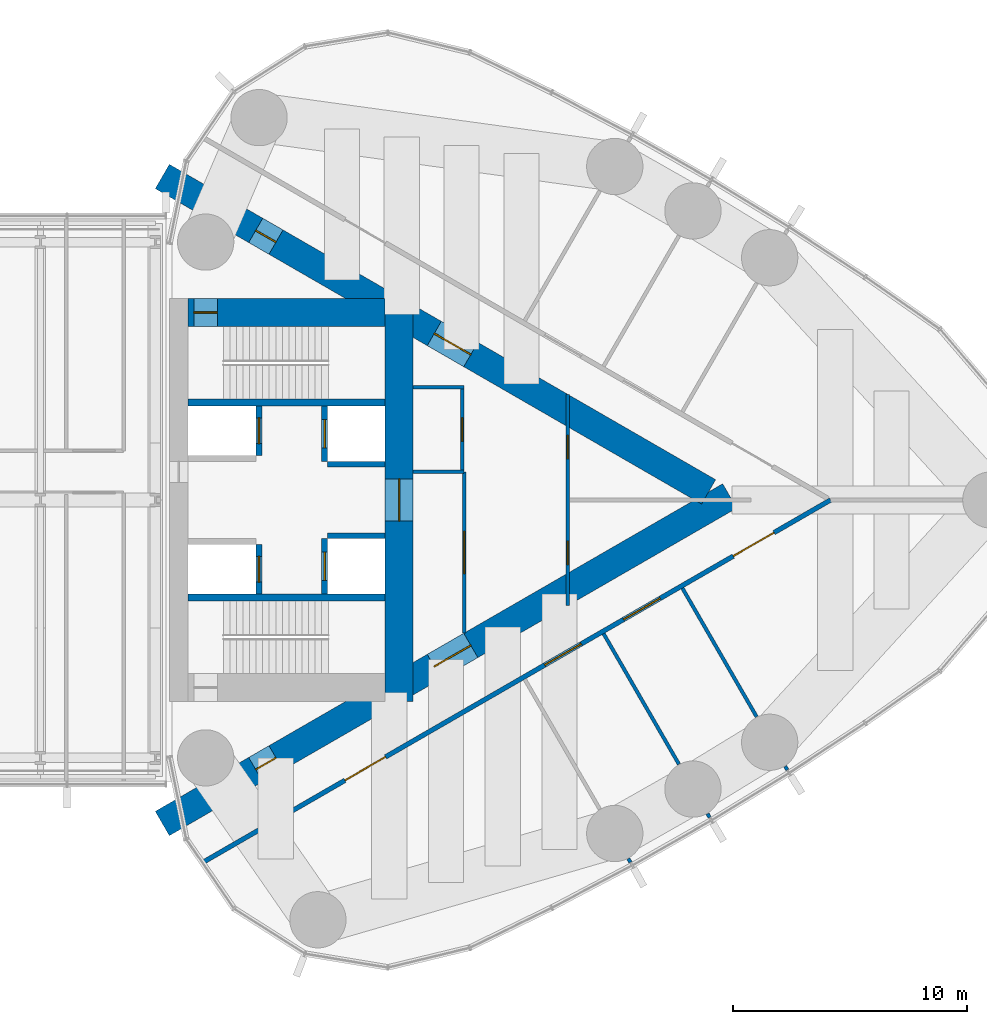
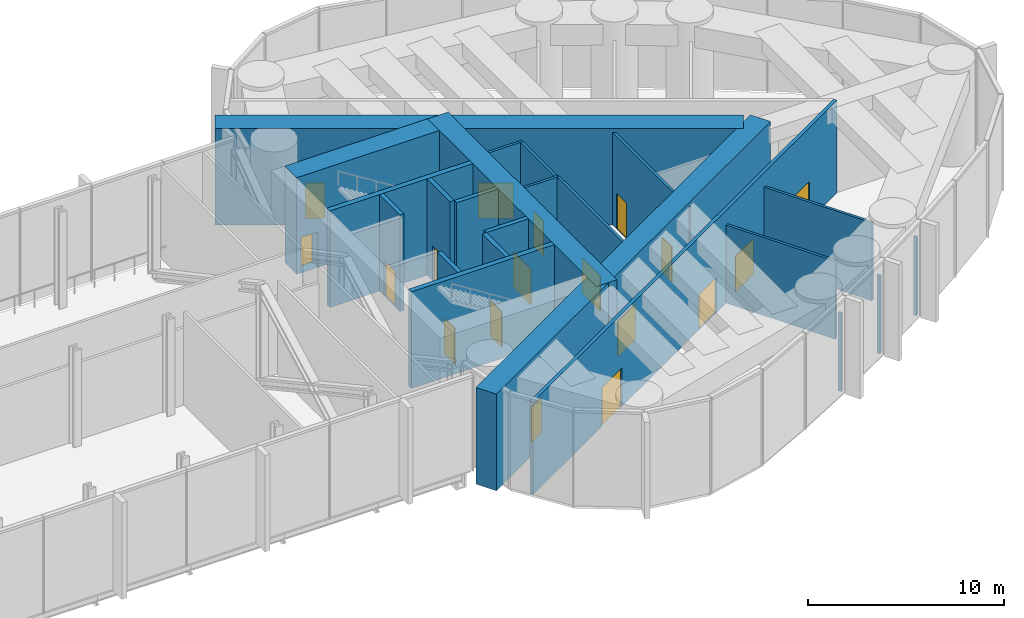
# One storey, part 18 of 21: 23 walls, 18 doors, 18 openings.
"""IFC4 building model written with IfcOpenShell, lengths in metres."""

from ifc_helpers import new_model, si_unit, direction, frame, frame_2d, origin, place, context, subcontext, project, spatial, rectangle, extrude, material, layer, layer_set, type_object, element, fill, save


model = new_model("IFC4")

# Units and contexts
model_context = context("Model", 3, precision=1e-05, world=origin(), true_north=direction((0.0, 1.0)))
body_context = subcontext(model_context, "Body", "Model", "MODEL_VIEW")
ifc_project = project(units=[si_unit("LENGTHUNIT", "METRE"), si_unit("AREAUNIT", "SQUARE_METRE"), si_unit("VOLUMEUNIT", "CUBIC_METRE"), si_unit("PLANEANGLEUNIT", "RADIAN"), si_unit("MASSUNIT", "GRAM", prefix="KILO")], contexts=[model_context])

# Site, building, storey
site_placement = place(None, origin())
site = spatial("IfcSite", under=ifc_project, at=site_placement, CompositionType="ELEMENT")
building_placement = place(site_placement, origin())
building = spatial("IfcBuilding", under=site, at=building_placement, Name="Lancet Gate Hotel", CompositionType="ELEMENT")
storey_placement = place(building_placement, frame((0.0, 0.0, 257.300048828125)))
storey = spatial("IfcBuildingStorey", under=building, at=storey_placement, Name="L68", CompositionType="ELEMENT", Elevation=257.300048828125)

# Wall, openings, doors
ifc_material_1 = material(Name="Concrete C70/85", Category="concrete")
ifc_layer_1 = layer(ifc_material_1, 1.199951171875)
ifc_layer_set_1 = layer_set([ifc_layer_1], Name="Buttress wall 1200")
wall_type_1 = type_object("IfcWallType", Name="Buttress wall 1200", PredefinedType="SHEAR", material=ifc_layer_set_1)
wall_1_placement = place(storey_placement, frame((27.199951171875, -13.800048828125, 0.0), z_axis=(0.0, 0.0, 1.0), x_axis=(0.866027159892, 0.499996958321, 0.0)))
wall_1 = element("IfcWall", 1, at=wall_1_placement, inside=storey, type_object=wall_type_1, Name="T2 buttress wall S L68", PredefinedType="SHEAR", context=body_context, shape_type="SweptSolid", body=[
    extrude(rectangle(XDim=27.946533203125, YDim=1.199951171875, at=frame_2d((13.97314453125, 0.0))), origin(), (0.0, 0.0, 1.0), 6.0),
])
opening_1_placement = place(wall_1_placement, frame((4.60009765625, 0.0, 0.0)))
opening_1 = element("IfcOpeningElement", 2, at=opening_1_placement, cuts=wall_1, Name="Opening T2-L68-LS", PredefinedType="OPENING", context=body_context, shape_type="SweptSolid", body=[
    extrude(rectangle(XDim=1.0, YDim=2.199951171875, at=frame_2d((0.5, 1.10009765625))), frame((0.0, 0.60986328125, 0.0), z_axis=(0.0, -1.0, 0.0), x_axis=(1.0, 0.0, 0.0)), (0.0, 0.0, 1.0), 1.219970703125),
])
opening_2_placement = place(wall_1_placement, frame((13.39453125, 0.0, 0.0)))
opening_2 = element("IfcOpeningElement", 3, at=opening_2_placement, cuts=wall_1, Name="Opening T2-L68-LHS", PredefinedType="OPENING", context=body_context, shape_type="SweptSolid", body=[
    extrude(rectangle(XDim=1.800048828125, YDim=2.199951171875, at=frame_2d((0.89990234375, 1.10009765625))), frame((0.0, 0.60986328125, 0.0), z_axis=(0.0, -1.0, 0.0), x_axis=(1.0, 0.0, 0.0)), (0.0, 0.0, 1.0), 1.219970703125),
])
ifc_material_2 = material(Name="Timber door set", Category="wood")
door_type_1 = type_object("IfcDoorType", Name="Lobby double door 1800", OperationType="DOUBLE_DOOR_SINGLE_SWING", PredefinedType="DOOR", material=ifc_material_2)
door_1_placement = place(opening_2_placement, origin())
door_1 = element("IfcDoor", 4, at=door_1_placement, inside=storey, type_object=door_type_1, Name="T2-L68-LHS", OperationType="DOUBLE_DOOR_SINGLE_SWING", OverallHeight=2.199951171875, OverallWidth=1.800048828125, PredefinedType="DOOR", context=body_context, shape_type="SweptSolid", body=[
    extrude(rectangle(XDim=1.800048828125, YDim=2.199951171875, at=frame_2d((0.89990234375, 1.10009765625))), frame((0.0, 0.02490234375, 0.0), z_axis=(0.0, -1.0, 0.0), x_axis=(1.0, 0.0, 0.0)), (0.0, 0.0, 1.0), 0.050048828125),
])
fill(opening_2, door_1)
ifc_material_3 = material(Name="Timber door set", Category="wood")
door_type_2 = type_object("IfcDoorType", Name="Stair lobby door 1000", OperationType="SINGLE_SWING_LEFT", PredefinedType="DOOR", material=ifc_material_3)
door_2_placement = place(opening_1_placement, origin())
door_2 = element("IfcDoor", 5, at=door_2_placement, inside=storey, type_object=door_type_2, Name="T2-L68-LS", OperationType="SINGLE_SWING_LEFT", OverallHeight=2.199951171875, OverallWidth=1.0, PredefinedType="DOOR", context=body_context, shape_type="SweptSolid", body=[
    extrude(rectangle(XDim=1.0, YDim=2.199951171875, at=frame_2d((0.5, 1.10009765625))), frame((0.0, 0.02490234375, 0.0), z_axis=(0.0, -1.0, 0.0), x_axis=(1.0, 0.0, 0.0)), (0.0, 0.0, 1.0), 0.050048828125),
])
fill(opening_1, door_2)

wall_2_placement = place(storey_placement, frame((27.199951171875, 13.800048828125, 0.0), z_axis=(0.0, 0.0, 1.0), x_axis=(0.866024515034, -0.500001539357, 0.0)))
wall_2 = element("IfcWall", 6, at=wall_2_placement, inside=storey, type_object=wall_type_1, Name="T2 buttress wall N L68", PredefinedType="SHEAR", context=body_context, shape_type="SweptSolid", body=[
    extrude(rectangle(XDim=26.9072265625, YDim=1.199951171875, at=frame_2d((13.45361328125, 0.0))), origin(), (0.0, 0.0, 1.0), 6.0),
])
opening_3_placement = place(wall_2_placement, frame((4.60009765625, 0.0, 0.0)))
opening_3 = element("IfcOpeningElement", 7, at=opening_3_placement, cuts=wall_2, Name="Opening T2-L68-LN", PredefinedType="OPENING", context=body_context, shape_type="SweptSolid", body=[
    extrude(rectangle(XDim=1.0, YDim=2.199951171875, at=frame_2d((0.5, 1.10009765625))), frame((0.0, 0.60986328125, 0.0), z_axis=(0.0, -1.0, 0.0), x_axis=(1.0, 0.0, 0.0)), (0.0, 0.0, 1.0), 1.219970703125),
])
opening_4_placement = place(wall_2_placement, frame((13.39453125, 0.0, 0.0)))
opening_4 = element("IfcOpeningElement", 8, at=opening_4_placement, cuts=wall_2, Name="Opening T2-L68-LHN", PredefinedType="OPENING", context=body_context, shape_type="SweptSolid", body=[
    extrude(rectangle(XDim=1.800048828125, YDim=2.199951171875, at=frame_2d((0.89990234375, 1.10009765625))), frame((0.0, 0.60986328125, 0.0), z_axis=(0.0, -1.0, 0.0), x_axis=(1.0, 0.0, 0.0)), (0.0, 0.0, 1.0), 1.219970703125),
])
door_3_placement = place(opening_4_placement, origin())
door_3 = element("IfcDoor", 9, at=door_3_placement, inside=storey, type_object=door_type_1, Name="T2-L68-LHN", OperationType="DOUBLE_DOOR_SINGLE_SWING", OverallHeight=2.199951171875, OverallWidth=1.800048828125, PredefinedType="DOOR", context=body_context, shape_type="SweptSolid", body=[
    extrude(rectangle(XDim=1.800048828125, YDim=2.199951171875, at=frame_2d((0.89990234375, 1.10009765625))), frame((0.0, 0.02490234375, 0.0), z_axis=(0.0, -1.0, 0.0), x_axis=(1.0, 0.0, 0.0)), (0.0, 0.0, 1.0), 0.050048828125),
])
fill(opening_4, door_3)
door_4_placement = place(opening_3_placement, origin())
door_4 = element("IfcDoor", 10, at=door_4_placement, inside=storey, type_object=door_type_2, Name="T2-L68-LN", OperationType="SINGLE_SWING_LEFT", OverallHeight=2.199951171875, OverallWidth=1.0, PredefinedType="DOOR", context=body_context, shape_type="SweptSolid", body=[
    extrude(rectangle(XDim=1.0, YDim=2.199951171875, at=frame_2d((0.5, 1.10009765625))), frame((0.0, 0.02490234375, 0.0), z_axis=(0.0, -1.0, 0.0), x_axis=(1.0, 0.0, 0.0)), (0.0, 0.0, 1.0), 0.050048828125),
])
fill(opening_3, door_4)

# Wall, opening, door
ifc_material_4 = material(Name="Concrete C70/85", Category="concrete")
ifc_layer_2 = layer(ifc_material_4, 1.199951171875)
ifc_layer_set_2 = layer_set([ifc_layer_2], Name="Core wall 1200")
wall_type_2 = type_object("IfcWallType", Name="Core wall 1200", PredefinedType="SHEAR", material=ifc_layer_set_2)
wall_3_placement = place(storey_placement, frame((37.300048828125, -8.60009765625, 0.0), z_axis=(0.0, 0.0, 1.0), x_axis=(0.0, 1.0, 0.0)))
wall_3 = element("IfcWall", 11, at=wall_3_placement, inside=storey, type_object=wall_type_2, Name="T2 core wall back L68", PredefinedType="SHEAR", context=body_context, shape_type="SweptSolid", body=[
    extrude(rectangle(XDim=17.2001953125, YDim=1.199951171875, at=frame_2d((8.60009765625, 0.0))), origin(), (0.0, 0.0, 1.0), 6.0),
])
opening_5_placement = place(wall_3_placement, frame((7.699951171875, 0.0, 0.0)))
opening_5 = element("IfcOpeningElement", 12, at=opening_5_placement, cuts=wall_3, Name="Opening T2-L68-LL", PredefinedType="OPENING", context=body_context, shape_type="SweptSolid", body=[
    extrude(rectangle(XDim=1.800048828125, YDim=2.199951171875, at=frame_2d((0.89990234375, 1.10009765625))), frame((0.0, 0.60986328125, 0.0), z_axis=(0.0, -1.0, 0.0), x_axis=(1.0, 0.0, 0.0)), (0.0, 0.0, 1.0), 1.219970703125),
])
door_5_placement = place(opening_5_placement, origin())
door_5 = element("IfcDoor", 13, at=door_5_placement, inside=storey, type_object=door_type_1, Name="T2-L68-LL", OperationType="DOUBLE_DOOR_SINGLE_SWING", OverallHeight=2.199951171875, OverallWidth=1.800048828125, PredefinedType="DOOR", context=body_context, shape_type="SweptSolid", body=[
    extrude(rectangle(XDim=1.800048828125, YDim=2.199951171875, at=frame_2d((0.89990234375, 1.10009765625))), frame((0.0, 0.02490234375, 0.0), z_axis=(0.0, -1.0, 0.0), x_axis=(1.0, 0.0, 0.0)), (0.0, 0.0, 1.0), 0.050048828125),
])
fill(opening_5, door_5)

wall_4_placement = place(storey_placement, frame((28.300048828125, 8.0, 0.0), z_axis=(0.0, 0.0, 1.0), x_axis=(1.0, 0.0, 0.0)))
wall_4 = element("IfcWall", 14, at=wall_4_placement, inside=storey, type_object=wall_type_2, Name="T2 core wall side-N L68", PredefinedType="SHEAR", context=body_context, shape_type="SweptSolid", body=[
    extrude(rectangle(XDim=8.39990234375, YDim=1.199951171875, at=frame_2d((4.199951171875, 0.0))), origin(), (0.0, 0.0, 1.0), 6.0),
])
opening_6_placement = place(wall_4_placement, frame((0.25, 0.0, 0.0)))
opening_6 = element("IfcOpeningElement", 15, at=opening_6_placement, cuts=wall_4, Name="Opening T2-L68-ST2", PredefinedType="OPENING", context=body_context, shape_type="SweptSolid", body=[
    extrude(rectangle(XDim=1.0, YDim=2.199951171875, at=frame_2d((0.5, 1.10009765625))), frame((0.0, 0.60986328125, 0.0), z_axis=(0.0, -1.0, 0.0), x_axis=(1.0, 0.0, 0.0)), (0.0, 0.0, 1.0), 1.219970703125),
])
ifc_material_5 = material(Name="Timber door set", Category="wood")
door_type_3 = type_object("IfcDoorType", Name="Stair door 1000", OperationType="SINGLE_SWING_RIGHT", PredefinedType="DOOR", material=ifc_material_5)
door_6_placement = place(opening_6_placement, origin())
door_6 = element("IfcDoor", 16, at=door_6_placement, inside=storey, type_object=door_type_3, Name="T2-L68-ST2", OperationType="SINGLE_SWING_RIGHT", OverallHeight=2.199951171875, OverallWidth=1.0, PredefinedType="DOOR", context=body_context, shape_type="SweptSolid", body=[
    extrude(rectangle(XDim=1.0, YDim=2.199951171875, at=frame_2d((0.5, 1.10009765625))), frame((0.0, 0.02490234375, 0.0), z_axis=(0.0, -1.0, 0.0), x_axis=(1.0, 0.0, 0.0)), (0.0, 0.0, 1.0), 0.050048828125),
])
fill(opening_6, door_6)

# Wall, openings, doors
ifc_material_6 = material(Name="Gypsum board partition")
ifc_layer_3 = layer(ifc_material_6, 0.199951171875)
ifc_layer_set_3 = layer_set([ifc_layer_3], Name="Corridor wall 200")
wall_type_3 = type_object("IfcWallType", Name="Corridor wall 200", PredefinedType="PARTITIONING", material=ifc_layer_set_3)
wall_5_placement = place(storey_placement, frame((28.90673828125, -15.470458984375, 0.0), z_axis=(0.0, 0.0, 1.0), x_axis=(0.866023700353, 0.500002950419, 0.0)))
wall_5 = element("IfcWall", 17, at=wall_5_placement, inside=storey, type_object=wall_type_3, Name="T2 corridor wall 200 L68", PredefinedType="PARTITIONING", context=body_context, shape_type="SweptSolid", body=[
    extrude(rectangle(XDim=30.940673828125, YDim=0.199951171875, at=frame_2d((15.47021484375, 0.0))), origin(), (0.0, 0.0, 1.0), 5.75),
])
opening_7_placement = place(wall_5_placement, frame((7.02392578125, 0.0, 0.0)))
opening_7 = element("IfcOpeningElement", 18, at=opening_7_placement, cuts=wall_5, Name="Opening T2-L68-DO01", PredefinedType="OPENING", context=body_context, shape_type="SweptSolid", body=[
    extrude(rectangle(XDim=2.0, YDim=2.39990234375, at=frame_2d((1.0, 1.199951171875))), frame((0.0, 0.10986328125, 0.0), z_axis=(0.0, -1.0, 0.0), x_axis=(1.0, 0.0, 0.0)), (0.0, 0.0, 1.0), 0.219970703125),
])
opening_8_placement = place(wall_5_placement, frame((16.864501953125, 0.0, 0.0)))
opening_8 = element("IfcOpeningElement", 19, at=opening_8_placement, cuts=wall_5, Name="Opening T2-L68-DO02", PredefinedType="OPENING", context=body_context, shape_type="SweptSolid", body=[
    extrude(rectangle(XDim=1.800048828125, YDim=2.199951171875, at=frame_2d((0.89990234375, 1.10009765625))), frame((0.0, 0.10986328125, 0.0), z_axis=(0.0, -1.0, 0.0), x_axis=(1.0, 0.0, 0.0)), (0.0, 0.0, 1.0), 0.219970703125),
])
opening_9_placement = place(wall_5_placement, frame((20.74755859375, 0.0, 0.0)))
opening_9 = element("IfcOpeningElement", 20, at=opening_9_placement, cuts=wall_5, Name="Opening T2-L68-DO03", PredefinedType="OPENING", context=body_context, shape_type="SweptSolid", body=[
    extrude(rectangle(XDim=1.800048828125, YDim=2.199951171875, at=frame_2d((0.89990234375, 1.10009765625))), frame((0.0, 0.10986328125, 0.0), z_axis=(0.0, -1.0, 0.0), x_axis=(1.0, 0.0, 0.0)), (0.0, 0.0, 1.0), 0.219970703125),
])
opening_10_placement = place(wall_5_placement, frame((26.15234375, 0.0, 0.0)))
opening_10 = element("IfcOpeningElement", 21, at=opening_10_placement, cuts=wall_5, Name="Opening T2-L68-DO04", PredefinedType="OPENING", context=body_context, shape_type="SweptSolid", body=[
    extrude(rectangle(XDim=2.0, YDim=2.39990234375, at=frame_2d((1.0, 1.199951171875))), frame((0.0, 0.10986328125, 0.0), z_axis=(0.0, -1.0, 0.0), x_axis=(1.0, 0.0, 0.0)), (0.0, 0.0, 1.0), 0.219970703125),
])
ifc_material_7 = material(Name="Timber door set", Category="wood")
door_type_4 = type_object("IfcDoorType", Name="Double door 1800", OperationType="DOUBLE_DOOR_SINGLE_SWING", PredefinedType="DOOR", material=ifc_material_7)
door_7_placement = place(opening_8_placement, origin())
door_7 = element("IfcDoor", 22, at=door_7_placement, inside=storey, type_object=door_type_4, Name="T2-L68-DO02", OperationType="DOUBLE_DOOR_SINGLE_SWING", OverallHeight=2.199951171875, OverallWidth=1.800048828125, PredefinedType="DOOR", context=body_context, shape_type="SweptSolid", body=[
    extrude(rectangle(XDim=1.800048828125, YDim=2.199951171875, at=frame_2d((0.89990234375, 1.10009765625))), frame((0.0, 0.02490234375, 0.0), z_axis=(0.0, -1.0, 0.0), x_axis=(1.0, 0.0, 0.0)), (0.0, 0.0, 1.0), 0.050048828125),
])
fill(opening_8, door_7)
door_8_placement = place(opening_9_placement, origin())
door_8 = element("IfcDoor", 23, at=door_8_placement, inside=storey, type_object=door_type_4, Name="T2-L68-DO03", OperationType="DOUBLE_DOOR_SINGLE_SWING", OverallHeight=2.199951171875, OverallWidth=1.800048828125, PredefinedType="DOOR", context=body_context, shape_type="SweptSolid", body=[
    extrude(rectangle(XDim=1.800048828125, YDim=2.199951171875, at=frame_2d((0.89990234375, 1.10009765625))), frame((0.0, 0.02490234375, 0.0), z_axis=(0.0, -1.0, 0.0), x_axis=(1.0, 0.0, 0.0)), (0.0, 0.0, 1.0), 0.050048828125),
])
fill(opening_9, door_8)
ifc_material_8 = material(Name="Timber door set", Category="wood")
door_type_5 = type_object("IfcDoorType", Name="Plant room double door 2000", OperationType="DOUBLE_DOOR_SINGLE_SWING", PredefinedType="DOOR", material=ifc_material_8)
door_9_placement = place(opening_7_placement, origin())
door_9 = element("IfcDoor", 24, at=door_9_placement, inside=storey, type_object=door_type_5, Name="T2-L68-DO01", OperationType="DOUBLE_DOOR_SINGLE_SWING", OverallHeight=2.39990234375, OverallWidth=2.0, PredefinedType="DOOR", context=body_context, shape_type="SweptSolid", body=[
    extrude(rectangle(XDim=2.0, YDim=2.39990234375, at=frame_2d((1.0, 1.199951171875))), frame((0.0, 0.02490234375, 0.0), z_axis=(0.0, -1.0, 0.0), x_axis=(1.0, 0.0, 0.0)), (0.0, 0.0, 1.0), 0.050048828125),
])
fill(opening_7, door_9)
door_10_placement = place(opening_10_placement, origin())
door_10 = element("IfcDoor", 25, at=door_10_placement, inside=storey, type_object=door_type_5, Name="T2-L68-DO04", OperationType="DOUBLE_DOOR_SINGLE_SWING", OverallHeight=2.39990234375, OverallWidth=2.0, PredefinedType="DOOR", context=body_context, shape_type="SweptSolid", body=[
    extrude(rectangle(XDim=2.0, YDim=2.39990234375, at=frame_2d((1.0, 1.199951171875))), frame((0.0, 0.02490234375, 0.0), z_axis=(0.0, -1.0, 0.0), x_axis=(1.0, 0.0, 0.0)), (0.0, 0.0, 1.0), 0.050048828125),
])
fill(opening_10, door_10)

# Wall, opening, door
ifc_material_9 = material(Name="Concrete C50/60", Category="concrete")
ifc_layer_4 = layer(ifc_material_9, 0.25)
ifc_layer_set_4 = layer_set([ifc_layer_4], Name="Lift shaft wall 250")
wall_type_4 = type_object("IfcWallType", Name="Lift shaft wall 250", PredefinedType="SHEAR", material=ifc_layer_set_4)
wall_6_placement = place(storey_placement, frame((31.324951171875, -4.0, 0.0), z_axis=(0.0, 0.0, 1.0), x_axis=(0.0, 1.0, 0.0)))
wall_6 = element("IfcWall", 26, at=wall_6_placement, inside=storey, type_object=wall_type_4, Name="T2 core wall row1-S L68", PredefinedType="SHEAR", context=body_context, shape_type="SweptSolid", body=[
    extrude(rectangle(XDim=2.10009765625, YDim=0.25, at=frame_2d((1.050048828125, 0.0))), origin(), (0.0, 0.0, 1.0), 6.0),
])
opening_11_placement = place(wall_6_placement, frame((0.5, 0.0, 0.0)))
opening_11 = element("IfcOpeningElement", 27, at=opening_11_placement, cuts=wall_6, Name="Opening T2-SL1-L68", PredefinedType="OPENING", context=body_context, shape_type="SweptSolid", body=[
    extrude(rectangle(XDim=1.10009765625, YDim=2.199951171875, at=frame_2d((0.550048828125, 1.10009765625))), frame((0.0, 0.135009765625, 0.0), z_axis=(0.0, -1.0, 0.0), x_axis=(1.0, 0.0, 0.0)), (0.0, 0.0, 1.0), 0.27001953125),
])
ifc_material_10 = material(Name="Timber door set", Category="wood")
door_type_6 = type_object("IfcDoorType", Name="Service lift landing door 1100", OperationType="SLIDING_TO_LEFT", PredefinedType="USERDEFINED", material=ifc_material_10)
door_11_placement = place(opening_11_placement, origin())
door_11 = element("IfcDoor", 28, at=door_11_placement, inside=storey, type_object=door_type_6, Name="T2-SL1-L68", ObjectType="LIFT LANDING DOOR", OperationType="SLIDING_TO_LEFT", OverallHeight=2.199951171875, OverallWidth=1.10009765625, PredefinedType="USERDEFINED", context=body_context, shape_type="SweptSolid", body=[
    extrude(rectangle(XDim=1.10009765625, YDim=2.199951171875, at=frame_2d((0.550048828125, 1.10009765625))), frame((0.0, 0.02490234375, 0.0), z_axis=(0.0, -1.0, 0.0), x_axis=(1.0, 0.0, 0.0)), (0.0, 0.0, 1.0), 0.050048828125),
])
fill(opening_11, door_11)

wall_7_placement = place(storey_placement, frame((34.125, -4.0, 0.0), z_axis=(0.0, 0.0, 1.0), x_axis=(0.0, 1.0, 0.0)))
wall_7 = element("IfcWall", 29, at=wall_7_placement, inside=storey, type_object=wall_type_4, Name="T2 core wall row2-S L68", PredefinedType="SHEAR", context=body_context, shape_type="SweptSolid", body=[
    extrude(rectangle(XDim=2.35009765625, YDim=0.25, at=frame_2d((1.175048828125, 0.0))), origin(), (0.0, 0.0, 1.0), 6.0),
])
opening_12_placement = place(wall_7_placement, frame((0.574951171875, 0.0, 0.0)))
opening_12 = element("IfcOpeningElement", 30, at=opening_12_placement, cuts=wall_7, Name="Opening T2-OL3-L68", PredefinedType="OPENING", context=body_context, shape_type="SweptSolid", body=[
    extrude(rectangle(XDim=1.199951171875, YDim=2.199951171875, at=frame_2d((0.60009765625, 1.10009765625))), frame((0.0, 0.135009765625, 0.0), z_axis=(0.0, -1.0, 0.0), x_axis=(1.0, 0.0, 0.0)), (0.0, 0.0, 1.0), 0.27001953125),
])
ifc_material_11 = material(Name="Timber door set", Category="wood")
door_type_7 = type_object("IfcDoorType", Name="Shuttle lift landing door 1200", OperationType="DOUBLE_DOOR_SLIDING", PredefinedType="USERDEFINED", material=ifc_material_11)
door_12_placement = place(opening_12_placement, origin())
door_12 = element("IfcDoor", 31, at=door_12_placement, inside=storey, type_object=door_type_7, Name="T2-OL3-L68", ObjectType="LIFT LANDING DOOR", OperationType="DOUBLE_DOOR_SLIDING", OverallHeight=2.199951171875, OverallWidth=1.199951171875, PredefinedType="USERDEFINED", context=body_context, shape_type="SweptSolid", body=[
    extrude(rectangle(XDim=1.199951171875, YDim=2.199951171875, at=frame_2d((0.60009765625, 1.10009765625))), frame((0.0, 0.02490234375, 0.0), z_axis=(0.0, -1.0, 0.0), x_axis=(1.0, 0.0, 0.0)), (0.0, 0.0, 1.0), 0.050048828125),
])
fill(opening_12, door_12)

# Wall
wall_8_placement = place(storey_placement, frame((34.25, -1.52490234375, 0.0), z_axis=(0.0, 0.0, 1.0), x_axis=(1.0, 0.0, 0.0)))
element("IfcWall", 32, at=wall_8_placement, inside=storey, type_object=wall_type_4, Name="T2 core wall pass2-S L68", PredefinedType="SHEAR", context=body_context, shape_type="SweptSolid", body=[
    extrude(rectangle(XDim=2.449951171875, YDim=0.25, at=frame_2d((1.22509765625, 0.0))), origin(), (0.0, 0.0, 1.0), 6.0),
])

# Wall, opening, door
wall_9_placement = place(storey_placement, frame((31.324951171875, 1.89990234375, 0.0), z_axis=(0.0, 0.0, 1.0), x_axis=(0.0, 1.0, 0.0)))
wall_9 = element("IfcWall", 33, at=wall_9_placement, inside=storey, type_object=wall_type_4, Name="T2 core wall row1-N L68", PredefinedType="SHEAR", context=body_context, shape_type="SweptSolid", body=[
    extrude(rectangle(XDim=2.10009765625, YDim=0.25, at=frame_2d((1.050048828125, 0.0))), origin(), (0.0, 0.0, 1.0), 6.0),
])
opening_13_placement = place(wall_9_placement, frame((0.5, 0.0, 0.0)))
opening_13 = element("IfcOpeningElement", 34, at=opening_13_placement, cuts=wall_9, Name="Opening T2-FL2-L68", PredefinedType="OPENING", context=body_context, shape_type="SweptSolid", body=[
    extrude(rectangle(XDim=1.10009765625, YDim=2.199951171875, at=frame_2d((0.550048828125, 1.10009765625))), frame((0.0, 0.135009765625, 0.0), z_axis=(0.0, -1.0, 0.0), x_axis=(1.0, 0.0, 0.0)), (0.0, 0.0, 1.0), 0.27001953125),
])
ifc_material_12 = material(Name="Steel door set", Category="steel")
door_type_8 = type_object("IfcDoorType", Name="Firefighting lift landing door 1100", OperationType="SLIDING_TO_LEFT", PredefinedType="USERDEFINED", material=ifc_material_12)
door_13_placement = place(opening_13_placement, origin())
door_13 = element("IfcDoor", 35, at=door_13_placement, inside=storey, type_object=door_type_8, Name="T2-FL2-L68", ObjectType="LIFT LANDING DOOR", OperationType="SLIDING_TO_LEFT", OverallHeight=2.199951171875, OverallWidth=1.10009765625, PredefinedType="USERDEFINED", context=body_context, shape_type="SweptSolid", body=[
    extrude(rectangle(XDim=1.10009765625, YDim=2.199951171875, at=frame_2d((0.550048828125, 1.10009765625))), frame((0.0, 0.02490234375, 0.0), z_axis=(0.0, -1.0, 0.0), x_axis=(1.0, 0.0, 0.0)), (0.0, 0.0, 1.0), 0.050048828125),
])
fill(opening_13, door_13)

wall_10_placement = place(storey_placement, frame((34.125, 1.64990234375, 0.0), z_axis=(0.0, 0.0, 1.0), x_axis=(0.0, 1.0, 0.0)))
wall_10 = element("IfcWall", 36, at=wall_10_placement, inside=storey, type_object=wall_type_4, Name="T2 core wall row2-N L68", PredefinedType="SHEAR", context=body_context, shape_type="SweptSolid", body=[
    extrude(rectangle(XDim=2.35009765625, YDim=0.25, at=frame_2d((1.175048828125, 0.0))), origin(), (0.0, 0.0, 1.0), 6.0),
])
opening_14_placement = place(wall_10_placement, frame((0.574951171875, 0.0, 0.0)))
opening_14 = element("IfcOpeningElement", 37, at=opening_14_placement, cuts=wall_10, Name="Opening T2-OL4-L68", PredefinedType="OPENING", context=body_context, shape_type="SweptSolid", body=[
    extrude(rectangle(XDim=1.199951171875, YDim=2.199951171875, at=frame_2d((0.60009765625, 1.10009765625))), frame((0.0, 0.135009765625, 0.0), z_axis=(0.0, -1.0, 0.0), x_axis=(1.0, 0.0, 0.0)), (0.0, 0.0, 1.0), 0.27001953125),
])
door_14_placement = place(opening_14_placement, origin())
door_14 = element("IfcDoor", 38, at=door_14_placement, inside=storey, type_object=door_type_7, Name="T2-OL4-L68", ObjectType="LIFT LANDING DOOR", OperationType="DOUBLE_DOOR_SLIDING", OverallHeight=2.199951171875, OverallWidth=1.199951171875, PredefinedType="USERDEFINED", context=body_context, shape_type="SweptSolid", body=[
    extrude(rectangle(XDim=1.199951171875, YDim=2.199951171875, at=frame_2d((0.60009765625, 1.10009765625))), frame((0.0, 0.02490234375, 0.0), z_axis=(0.0, -1.0, 0.0), x_axis=(1.0, 0.0, 0.0)), (0.0, 0.0, 1.0), 0.050048828125),
])
fill(opening_14, door_14)

# Walls
wall_11_placement = place(storey_placement, frame((34.25, 1.52490234375, 0.0), z_axis=(0.0, 0.0, 1.0), x_axis=(1.0, 0.0, 0.0)))
element("IfcWall", 39, at=wall_11_placement, inside=storey, type_object=wall_type_4, Name="T2 core wall pass2-N L68", PredefinedType="SHEAR", context=body_context, shape_type="SweptSolid", body=[
    extrude(rectangle(XDim=2.449951171875, YDim=0.25, at=frame_2d((1.22509765625, 0.0))), origin(), (0.0, 0.0, 1.0), 6.0),
])
ifc_material_13 = material(Name="Gypsum board partition")
ifc_layer_5 = layer(ifc_material_13, 0.14990234375)
ifc_layer_set_5 = layer_set([ifc_layer_5], Name="Party wall 150")
wall_type_5 = type_object("IfcWallType", Name="Party wall 150", PredefinedType="PARTITIONING", material=ifc_layer_set_5)
wall_12_placement = place(storey_placement, frame((47.078857421875, -15.2998046875, 0.0), z_axis=(0.0, 0.0, 1.0), x_axis=(0.499212083968, -0.866479829667, 0.0)))
element("IfcWall", 40, at=wall_12_placement, inside=storey, type_object=wall_type_5, Name="T2 party wall 150 L68", PredefinedType="PARTITIONING", context=body_context, shape_type="SweptSolid", body=[
    extrude(rectangle(XDim=0.179443359375, YDim=0.14990234375, at=frame_2d((0.08984375, 0.0))), origin(), (0.0, 0.0, 1.0), 4.849853515625),
])
wall_13_placement = place(storey_placement, frame((46.02294921875, -5.703857421875, 0.0), z_axis=(0.0, 0.0, 1.0), x_axis=(0.499984478165, -0.866034365135, 0.0)))
element("IfcWall", 41, at=wall_13_placement, inside=storey, type_object=wall_type_5, Name="T2 party wall 150 L68", PredefinedType="PARTITIONING", context=body_context, shape_type="SweptSolid", body=[
    extrude(rectangle(XDim=6.425537109375, YDim=0.14990234375, at=frame_2d((3.212890625, 0.0))), origin(), (0.0, 0.0, 1.0), 4.849853515625),
])
wall_14_placement = place(storey_placement, frame((50.45556640625, -13.381591796875, 0.0), z_axis=(0.0, 0.0, 1.0), x_axis=(0.500661834965, -0.865642955848, 0.0)))
element("IfcWall", 42, at=wall_14_placement, inside=storey, type_object=wall_type_5, Name="T2 party wall 150 L68", PredefinedType="PARTITIONING", context=body_context, shape_type="SweptSolid", body=[
    extrude(rectangle(XDim=0.179931640625, YDim=0.14990234375, at=frame_2d((0.08984375, 0.0))), origin(), (0.0, 0.0, 1.0), 4.849853515625),
])
wall_15_placement = place(storey_placement, frame((49.38525390625, -3.7626953125, 0.0), z_axis=(0.0, 0.0, 1.0), x_axis=(0.499999447814, -0.866025722589, 0.0)))
element("IfcWall", 43, at=wall_15_placement, inside=storey, type_object=wall_type_5, Name="T2 party wall 150 L68", PredefinedType="PARTITIONING", context=body_context, shape_type="SweptSolid", body=[
    extrude(rectangle(XDim=6.33251953125, YDim=0.14990234375, at=frame_2d((3.166259765625, 0.0))), origin(), (0.0, 0.0, 1.0), 4.849853515625),
])
wall_16_placement = place(storey_placement, frame((53.771484375, -11.35986328125, 0.0), z_axis=(0.0, 0.0, 1.0), x_axis=(0.499524978789, -0.866299483762, 0.0)))
element("IfcWall", 44, at=wall_16_placement, inside=storey, type_object=wall_type_5, Name="T2 party wall 150 L68", PredefinedType="PARTITIONING", context=body_context, shape_type="SweptSolid", body=[
    extrude(rectangle(XDim=0.178466796875, YDim=0.14990234375, at=frame_2d((0.08935546875, 0.0))), origin(), (0.0, 0.0, 1.0), 4.849853515625),
])
ifc_material_14 = material(Name="Gypsum board partition")
ifc_layer_6 = layer(ifc_material_14, 0.14990234375)
ifc_layer_set_6 = layer_set([ifc_layer_6], Name="Service room wall 150")
wall_type_6 = type_object("IfcWallType", Name="Service room wall 150", PredefinedType="PARTITIONING", material=ifc_layer_set_6)
for number, where, z_axis, x_axis, name in (
    (45, (37.89990234375, 1.199951171875, 0.0), (0.0, 0.0, 1.0), (1.0, 0.0, 0.0), "T2 service room wall 150 L68"),
    (46, (37.89990234375, 4.800048828125, 0.0), (0.0, 0.0, 1.0), (1.0, 0.0, 0.0), "T2 service room wall 150 L68"),
):
    element("IfcWall", number, at=place(storey_placement, frame(where, z_axis=z_axis, x_axis=x_axis)), inside=storey, type_object=wall_type_6, Name=name, PredefinedType="PARTITIONING", context=body_context, shape_type="SweptSolid", body=[
        extrude(rectangle(XDim=2.175048828125, YDim=0.14990234375, at=frame_2d((1.08740234375, 0.0))), origin(), (0.0, 0.0, 1.0), 5.75),
    ])

# Wall, opening, door
wall_17_placement = place(storey_placement, frame((40.0, 1.125, 0.0), z_axis=(0.0, 0.0, 1.0), x_axis=(0.0, 1.0, 0.0)))
wall_17 = element("IfcWall", 47, at=wall_17_placement, inside=storey, type_object=wall_type_6, Name="T2 service room wall 150 L68", PredefinedType="PARTITIONING", context=body_context, shape_type="SweptSolid", body=[
    extrude(rectangle(XDim=3.75, YDim=0.14990234375, at=frame_2d((1.875, 0.0))), origin(), (0.0, 0.0, 1.0), 5.75),
])
opening_15_placement = place(wall_17_placement, frame((1.375, 0.0, 0.0)))
opening_15 = element("IfcOpeningElement", 48, at=opening_15_placement, cuts=wall_17, Name="Opening T2-L68-HRN0", PredefinedType="OPENING", context=body_context, shape_type="SweptSolid", body=[
    extrude(rectangle(XDim=1.0, YDim=2.199951171875, at=frame_2d((0.5, 1.10009765625))), frame((0.0, 0.0849609375, 0.0), z_axis=(0.0, -1.0, 0.0), x_axis=(1.0, 0.0, 0.0)), (0.0, 0.0, 1.0), 0.169921875),
])
ifc_material_15 = material(Name="Timber door set", Category="wood")
door_type_9 = type_object("IfcDoorType", Name="Service door 1000", OperationType="SINGLE_SWING_LEFT", PredefinedType="DOOR", material=ifc_material_15)
door_15_placement = place(opening_15_placement, origin())
door_15 = element("IfcDoor", 49, at=door_15_placement, inside=storey, type_object=door_type_9, Name="T2-L68-HRN0", OperationType="SINGLE_SWING_LEFT", OverallHeight=2.199951171875, OverallWidth=1.0, PredefinedType="DOOR", context=body_context, shape_type="SweptSolid", body=[
    extrude(rectangle(XDim=1.0, YDim=2.199951171875, at=frame_2d((0.5, 1.10009765625))), frame((0.0, 0.02490234375, 0.0), z_axis=(0.0, -1.0, 0.0), x_axis=(1.0, 0.0, 0.0)), (0.0, 0.0, 1.0), 0.050048828125),
])
fill(opening_15, door_15)

wall_18_placement = place(storey_placement, frame((40.074951171875, -5.673828125, 0.0), z_axis=(0.0, 0.0, 1.0), x_axis=(0.0, 1.0, 0.0)))
wall_18 = element("IfcWall", 50, at=wall_18_placement, inside=storey, type_object=wall_type_6, Name="T2 service room wall 150 L68", PredefinedType="PARTITIONING", context=body_context, shape_type="SweptSolid", body=[
    extrude(rectangle(XDim=6.873779296875, YDim=0.14990234375, at=frame_2d((3.43701171875, 0.0))), origin(), (0.0, 0.0, 1.0), 5.75),
])
opening_16_placement = place(wall_18_placement, frame((2.536865234375, 0.0, 0.0)))
opening_16 = element("IfcOpeningElement", 51, at=opening_16_placement, cuts=wall_18, Name="Opening T2-L68-LH", PredefinedType="OPENING", context=body_context, shape_type="SweptSolid", body=[
    extrude(rectangle(XDim=1.800048828125, YDim=2.199951171875, at=frame_2d((0.89990234375, 1.10009765625))), frame((0.0, 0.0849609375, 0.0), z_axis=(0.0, -1.0, 0.0), x_axis=(1.0, 0.0, 0.0)), (0.0, 0.0, 1.0), 0.169921875),
])
door_16_placement = place(opening_16_placement, origin())
door_16 = element("IfcDoor", 52, at=door_16_placement, inside=storey, type_object=door_type_1, Name="T2-L68-LH", OperationType="DOUBLE_DOOR_SINGLE_SWING", OverallHeight=2.199951171875, OverallWidth=1.800048828125, PredefinedType="DOOR", context=body_context, shape_type="SweptSolid", body=[
    extrude(rectangle(XDim=1.800048828125, YDim=2.199951171875, at=frame_2d((0.89990234375, 1.10009765625))), frame((0.0, 0.02490234375, 0.0), z_axis=(0.0, -1.0, 0.0), x_axis=(1.0, 0.0, 0.0)), (0.0, 0.0, 1.0), 0.050048828125),
])
fill(opening_16, door_16)

# Wall, openings, doors
wall_19_placement = place(storey_placement, frame((44.5, -4.504638671875, 0.0), z_axis=(0.0, 0.0, 1.0), x_axis=(0.0, 1.0, 0.0)))
wall_19 = element("IfcWall", 53, at=wall_19_placement, inside=storey, type_object=wall_type_6, Name="T2 service room wall 150 L68", PredefinedType="PARTITIONING", context=body_context, shape_type="SweptSolid", body=[
    extrude(rectangle(XDim=9.00927734375, YDim=0.14990234375, at=frame_2d((4.504638671875, 0.0))), origin(), (0.0, 0.0, 1.0), 5.75),
])
opening_17_placement = place(wall_19_placement, frame((1.752197265625, 0.0, 0.0)))
opening_17 = element("IfcOpeningElement", 54, at=opening_17_placement, cuts=wall_19, Name="Opening T2-L68-SV", PredefinedType="OPENING", context=body_context, shape_type="SweptSolid", body=[
    extrude(rectangle(XDim=1.0, YDim=2.199951171875, at=frame_2d((0.5, 1.10009765625))), frame((0.0, 0.0849609375, 0.0), z_axis=(0.0, -1.0, 0.0), x_axis=(1.0, 0.0, 0.0)), (0.0, 0.0, 1.0), 0.169921875),
])
opening_18_placement = place(wall_19_placement, frame((6.2568359375, 0.0, 0.0)))
opening_18 = element("IfcOpeningElement", 55, at=opening_18_placement, cuts=wall_19, Name="Opening T2-L68-SV2", PredefinedType="OPENING", context=body_context, shape_type="SweptSolid", body=[
    extrude(rectangle(XDim=1.0, YDim=2.199951171875, at=frame_2d((0.5, 1.10009765625))), frame((0.0, 0.0849609375, 0.0), z_axis=(0.0, -1.0, 0.0), x_axis=(1.0, 0.0, 0.0)), (0.0, 0.0, 1.0), 0.169921875),
])
door_17_placement = place(opening_17_placement, origin())
door_17 = element("IfcDoor", 56, at=door_17_placement, inside=storey, type_object=door_type_9, Name="T2-L68-SV", OperationType="SINGLE_SWING_LEFT", OverallHeight=2.199951171875, OverallWidth=1.0, PredefinedType="DOOR", context=body_context, shape_type="SweptSolid", body=[
    extrude(rectangle(XDim=1.0, YDim=2.199951171875, at=frame_2d((0.5, 1.10009765625))), frame((0.0, 0.02490234375, 0.0), z_axis=(0.0, -1.0, 0.0), x_axis=(1.0, 0.0, 0.0)), (0.0, 0.0, 1.0), 0.050048828125),
])
fill(opening_17, door_17)
door_18_placement = place(opening_18_placement, origin())
door_18 = element("IfcDoor", 57, at=door_18_placement, inside=storey, type_object=door_type_9, Name="T2-L68-SV2", OperationType="SINGLE_SWING_LEFT", OverallHeight=2.199951171875, OverallWidth=1.0, PredefinedType="DOOR", context=body_context, shape_type="SweptSolid", body=[
    extrude(rectangle(XDim=1.0, YDim=2.199951171875, at=frame_2d((0.5, 1.10009765625))), frame((0.0, 0.02490234375, 0.0), z_axis=(0.0, -1.0, 0.0), x_axis=(1.0, 0.0, 0.0)), (0.0, 0.0, 1.0), 0.050048828125),
])
fill(opening_18, door_18)

# Walls
ifc_material_16 = material(Name="Concrete C50/60", Category="concrete")
ifc_layer_7 = layer(ifc_material_16, 0.300048828125)
ifc_layer_set_7 = layer_set([ifc_layer_7], Name="Stair enclosure wall 300")
wall_type_7 = type_object("IfcWallType", Name="Stair enclosure wall 300", PredefinedType="SHEAR", material=ifc_layer_set_7)
for number, where, z_axis, x_axis, name in (
    (58, (28.300048828125, -4.14990234375, 0.0), (0.0, 0.0, 1.0), (1.0, 0.0, 0.0), "T2 core wall stair-S L68"),
    (59, (28.300048828125, 4.14990234375, 0.0), (0.0, 0.0, 1.0), (1.0, 0.0, 0.0), "T2 core wall stair-N L68"),
):
    element("IfcWall", number, at=place(storey_placement, frame(where, z_axis=z_axis, x_axis=x_axis)), inside=storey, type_object=wall_type_7, Name=name, PredefinedType="SHEAR", context=body_context, shape_type="SweptSolid", body=[
        extrude(rectangle(XDim=8.39990234375, YDim=0.300048828125, at=frame_2d((4.199951171875, 0.0))), origin(), (0.0, 0.0, 1.0), 6.0),
    ])

save(model, "model.ifc")
